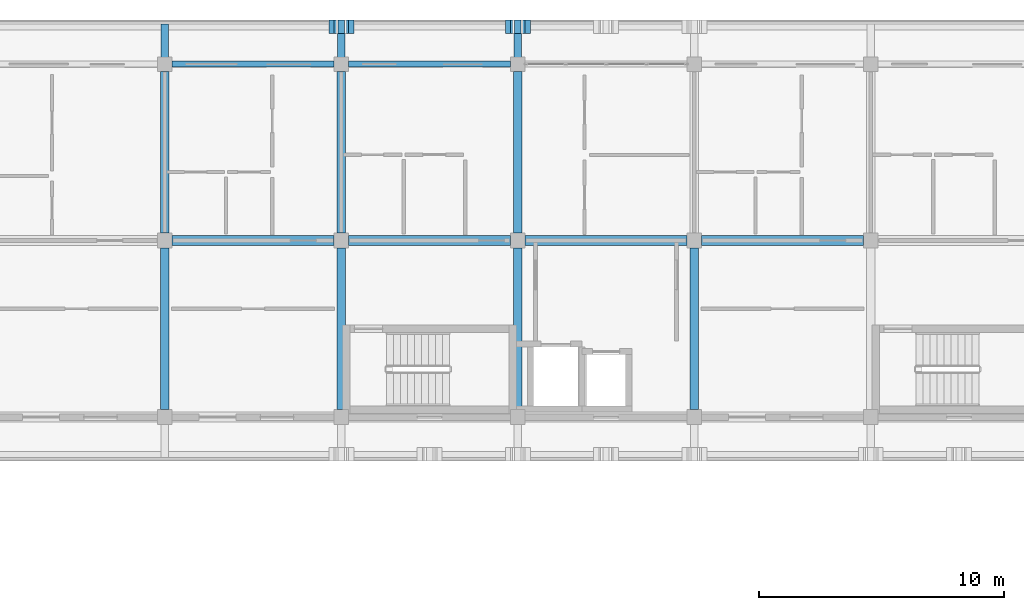
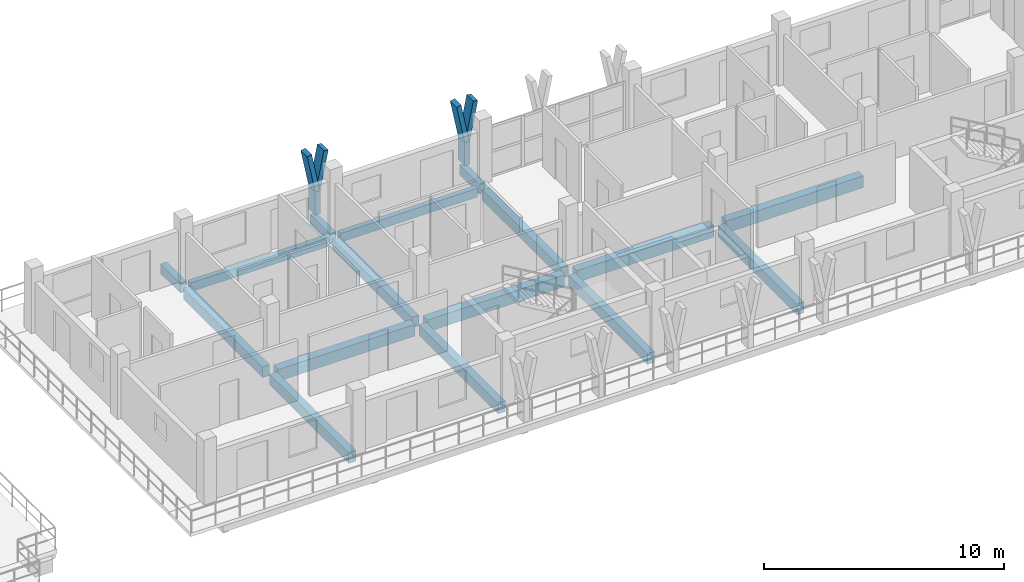
# One storey, part 28 of 75: 16 beams, 6 members.
"""IFC4 building model written with IfcOpenShell, lengths in metres."""

from ifc_helpers import new_model, si_unit, direction, frame, origin, origin_2d, place, context, subcontext, project, spatial, rectangle, extrude, material, material_profile, profile_set, type_object, element, save


model = new_model("IFC4")

# Units and contexts
model_context = context("Model", 3, precision=1e-05, world=origin(), true_north=direction((0.0, 1.0)))
body_context = subcontext(model_context, "Body", "Model", "MODEL_VIEW")
ifc_project = project(units=[si_unit("LENGTHUNIT", "METRE"), si_unit("AREAUNIT", "SQUARE_METRE"), si_unit("VOLUMEUNIT", "CUBIC_METRE"), si_unit("PLANEANGLEUNIT", "RADIAN"), si_unit("MASSUNIT", "GRAM", prefix="KILO")], contexts=[model_context])

# Site, building, storey
site_placement = place(None, origin())
site = spatial("IfcSite", under=ifc_project, at=site_placement, CompositionType="ELEMENT")
building_placement = place(site_placement, origin())
building = spatial("IfcBuilding", under=site, at=building_placement, Name="Suanplinth Sawtooth Commons", CompositionType="ELEMENT")
storey_placement = place(building_placement, frame((0.0, 0.0, 18.60009765625)))
storey = spatial("IfcBuildingStorey", under=building, at=storey_placement, Name="L05", CompositionType="ELEMENT", Elevation=18.60009765625)

# Beams
ifc_material_1 = material(Name="Precast concrete C40/50", Category="concrete")
ifc_material_profile_1 = material_profile(ifc_material_1, rectangle(XDim=0.39990234375, YDim=0.60009765625, at=origin_2d()), Name="PC-GDR 400x600")
ifc_profile_set_1 = profile_set([ifc_material_profile_1], Name="Precast concrete C40/50")
beam_type_1 = type_object("IfcBeamType", Name="B-05", PredefinedType="USERDEFINED", material=ifc_profile_set_1)
beam_1_placement = place(storey_placement, frame((129.89990234375, 115.199951171875, -0.550048828125), z_axis=(1.0, 0.0, 0.0), x_axis=(0.0, 1.0, 0.0)))
element("IfcBeam", 1, at=beam_1_placement, inside=storey, type_object=beam_type_1, Name="BMX-L05-B-18-16", ObjectType="GIRDER", PredefinedType="USERDEFINED", context=body_context, shape_type="SweptSolid", body=[
    extrude(rectangle(XDim=0.39990234375, YDim=0.60009765625, at=origin_2d()), origin(), (0.0, 0.0, 1.0), 6.60009765625),
])
for number, where, z_axis, x_axis, name in (
    (2, (137.10009765625, 115.199951171875, -0.550048828125), (1.0, 0.0, 0.0), (0.0, 1.0, 0.0), "BMX-L05-B-19-16"),
    (3, (144.300048828125, 115.199951171875, -0.550048828125), (1.0, 0.0, 0.0), (0.0, 1.0, 0.0), "BMX-L05-B-20-16"),
):
    element("IfcBeam", number, at=place(storey_placement, frame(where, z_axis=z_axis, x_axis=x_axis)), inside=storey, type_object=beam_type_1, Name=name, ObjectType="GIRDER", PredefinedType="USERDEFINED", context=body_context, shape_type="SweptSolid", body=[
        extrude(rectangle(XDim=0.39990234375, YDim=0.60009765625, at=origin_2d()), origin(), (0.0, 0.0, 1.0), 6.599853515625),
    ])
beam_2_placement = place(storey_placement, frame((151.5, 115.199951171875, -0.550048828125), z_axis=(1.0, 0.0, 0.0), x_axis=(0.0, 1.0, 0.0)))
element("IfcBeam", 4, at=beam_2_placement, inside=storey, type_object=beam_type_1, Name="BMX-L05-B-21-16", ObjectType="GIRDER", PredefinedType="USERDEFINED", context=body_context, shape_type="SweptSolid", body=[
    extrude(rectangle(XDim=0.39990234375, YDim=0.60009765625, at=origin_2d()), origin(), (0.0, 0.0, 1.0), 6.60009765625),
])
ifc_material_profile_2 = material_profile(ifc_material_1, rectangle(XDim=0.35009765625, YDim=0.550048828125, at=origin_2d()), Name="PC-BM 350x550")
ifc_profile_set_2 = profile_set([ifc_material_profile_2], Name="Precast concrete C40/50")
beam_type_2 = type_object("IfcBeamType", Name="B-06", PredefinedType="BEAM", material=ifc_profile_set_2)
beam_3_placement = place(storey_placement, frame((129.60009765625, 108.300048828125, -0.525146484375), z_axis=(0.0, 1.0, 0.0), x_axis=(-1.0, 0.0, 0.0)))
element("IfcBeam", 5, at=beam_3_placement, inside=storey, type_object=beam_type_2, Name="BMY-L05-B-18-15", PredefinedType="BEAM", context=body_context, shape_type="SweptSolid", body=[
    extrude(rectangle(XDim=0.35009765625, YDim=0.550048828125, at=origin_2d()), origin(), (0.0, 0.0, 1.0), 6.599853515625),
])
beam_4_placement = place(storey_placement, frame((129.60009765625, 115.5, -0.525146484375), z_axis=(0.0, 1.0, 0.0), x_axis=(-1.0, 0.0, 0.0)))
element("IfcBeam", 6, at=beam_4_placement, inside=storey, type_object=beam_type_2, Name="BMY-L05-B-18-16", PredefinedType="BEAM", context=body_context, shape_type="SweptSolid", body=[
    extrude(rectangle(XDim=0.35009765625, YDim=0.550048828125, at=origin_2d()), origin(), (0.0, 0.0, 1.0), 6.60009765625),
])
beam_5_placement = place(storey_placement, frame((136.800048828125, 108.300048828125, -0.525146484375), z_axis=(0.0, 1.0, 0.0), x_axis=(-1.0, 0.0, 0.0)))
element("IfcBeam", 7, at=beam_5_placement, inside=storey, type_object=beam_type_2, Name="BMY-L05-B-19-15", PredefinedType="BEAM", context=body_context, shape_type="SweptSolid", body=[
    extrude(rectangle(XDim=0.35009765625, YDim=0.550048828125, at=origin_2d()), origin(), (0.0, 0.0, 1.0), 6.599853515625),
])
beam_6_placement = place(storey_placement, frame((136.800048828125, 115.5, -0.525146484375), z_axis=(0.0, 1.0, 0.0), x_axis=(-1.0, 0.0, 0.0)))
element("IfcBeam", 8, at=beam_6_placement, inside=storey, type_object=beam_type_2, Name="BMY-L05-B-19-16", PredefinedType="BEAM", context=body_context, shape_type="SweptSolid", body=[
    extrude(rectangle(XDim=0.35009765625, YDim=0.550048828125, at=origin_2d()), origin(), (0.0, 0.0, 1.0), 6.60009765625),
])
beam_7_placement = place(storey_placement, frame((144.0, 108.300048828125, -0.525146484375), z_axis=(0.0, 1.0, 0.0), x_axis=(-1.0, 0.0, 0.0)))
element("IfcBeam", 9, at=beam_7_placement, inside=storey, type_object=beam_type_2, Name="BMY-L05-B-20-15", PredefinedType="BEAM", context=body_context, shape_type="SweptSolid", body=[
    extrude(rectangle(XDim=0.35009765625, YDim=0.550048828125, at=origin_2d()), origin(), (0.0, 0.0, 1.0), 6.599853515625),
])
beam_8_placement = place(storey_placement, frame((144.0, 115.5, -0.525146484375), z_axis=(0.0, 1.0, 0.0), x_axis=(-1.0, 0.0, 0.0)))
element("IfcBeam", 10, at=beam_8_placement, inside=storey, type_object=beam_type_2, Name="BMY-L05-B-20-16", PredefinedType="BEAM", context=body_context, shape_type="SweptSolid", body=[
    extrude(rectangle(XDim=0.35009765625, YDim=0.550048828125, at=origin_2d()), origin(), (0.0, 0.0, 1.0), 6.60009765625),
])
beam_9_placement = place(storey_placement, frame((151.199951171875, 108.300048828125, -0.525146484375), z_axis=(0.0, 1.0, 0.0), x_axis=(-1.0, 0.0, 0.0)))
element("IfcBeam", 11, at=beam_9_placement, inside=storey, type_object=beam_type_2, Name="BMY-L05-B-21-15", PredefinedType="BEAM", context=body_context, shape_type="SweptSolid", body=[
    extrude(rectangle(XDim=0.35009765625, YDim=0.550048828125, at=origin_2d()), origin(), (0.0, 0.0, 1.0), 6.599853515625),
])
ifc_material_profile_3 = material_profile(ifc_material_1, rectangle(XDim=0.300048828125, YDim=0.5, at=origin_2d()), Name="PC-BM 300x500")
ifc_profile_set_3 = profile_set([ifc_material_profile_3], Name="Precast concrete C40/50")
beam_type_3 = type_object("IfcBeamType", Name="B-07", PredefinedType="BEAM", material=ifc_profile_set_3)
for number, where, z_axis, x_axis, name in (
    (12, (129.60009765625, 122.39990234375, -0.43017578125), (0.0, 1.0, 0.0), (-1.0, 0.0, 0.0), "Balcony Outrigger L05-B-N-18"),
    (13, (136.800048828125, 122.39990234375, -0.43017578125), (0.0, 1.0, 0.0), (-1.0, 0.0, 0.0), "Balcony Outrigger L05-B-N-19"),
    (14, (144.0, 122.39990234375, -0.43017578125), (0.0, 1.0, 0.0), (-1.0, 0.0, 0.0), "Balcony Outrigger L05-B-N-20"),
):
    element("IfcBeam", number, at=place(storey_placement, frame(where, z_axis=z_axis, x_axis=x_axis)), inside=storey, type_object=beam_type_3, Name=name, PredefinedType="BEAM", context=body_context, shape_type="SweptSolid", body=[
        extrude(rectangle(XDim=0.300048828125, YDim=0.5, at=origin_2d()), origin(), (0.0, 0.0, 1.0), 1.64013671875),
    ])
ifc_material_profile_4 = material_profile(ifc_material_1, rectangle(XDim=0.25, YDim=0.449951171875, at=origin_2d()), Name="PC-SP 250x450")
ifc_profile_set_4 = profile_set([ifc_material_profile_4], Name="Precast concrete C40/50")
beam_type_4 = type_object("IfcBeamType", Name="B-09", PredefinedType="SPANDREL", material=ifc_profile_set_4)
beam_10_placement = place(storey_placement, frame((129.89990234375, 122.39990234375, -0.47509765625), z_axis=(1.0, 0.0, 0.0), x_axis=(0.0, 1.0, 0.0)))
element("IfcBeam", 15, at=beam_10_placement, inside=storey, type_object=beam_type_4, Name="BMX-L05-B-18-17", PredefinedType="SPANDREL", context=body_context, shape_type="SweptSolid", body=[
    extrude(rectangle(XDim=0.25, YDim=0.449951171875, at=origin_2d()), origin(), (0.0, 0.0, 1.0), 6.60009765625),
])
beam_11_placement = place(storey_placement, frame((137.10009765625, 122.39990234375, -0.47509765625), z_axis=(1.0, 0.0, 0.0), x_axis=(0.0, 1.0, 0.0)))
element("IfcBeam", 16, at=beam_11_placement, inside=storey, type_object=beam_type_4, Name="BMX-L05-B-19-17", PredefinedType="SPANDREL", context=body_context, shape_type="SweptSolid", body=[
    extrude(rectangle(XDim=0.25, YDim=0.449951171875, at=origin_2d()), origin(), (0.0, 0.0, 1.0), 6.599853515625),
])

# Members
ifc_material_2 = material(Name="Pigmented precast concrete C40/50", Category="concrete")
ifc_material_profile_5 = material_profile(ifc_material_2, rectangle(XDim=0.260009765625, YDim=0.550048828125, at=origin_2d()), Name="PC-FIN 260x550")
ifc_profile_set_5 = profile_set([ifc_material_profile_5], Name="Pigmented precast concrete C40/50")
member_type_1 = type_object("IfcMemberType", Name="M-09", PredefinedType="USERDEFINED", material=ifc_profile_set_5)
for number, where, z_axis, x_axis, name in (
    (17, (136.800048828125, 123.919921875, 0.0), (0.0, 0.0, 1.0), (1.0, 0.0, 0.0), "Y-Blade Stem L05-B-N-01"),
    (18, (144.0, 123.919921875, 0.0), (0.0, 0.0, 1.0), (1.0, 0.0, 0.0), "Y-Blade Stem L05-B-N-02"),
):
    element("IfcMember", number, at=place(storey_placement, frame(where, z_axis=z_axis, x_axis=x_axis)), inside=storey, type_object=member_type_1, Name=name, ObjectType="SHADING FIN", PredefinedType="USERDEFINED", context=body_context, shape_type="SweptSolid", body=[
        extrude(rectangle(XDim=0.260009765625, YDim=0.550048828125, at=origin_2d()), origin(), (0.0, 0.0, 1.0), 1.169921875),
    ])
ifc_material_profile_6 = material_profile(ifc_material_2, rectangle(XDim=0.219970703125, YDim=0.550048828125, at=origin_2d()), Name="PC-FIN 220x550")
ifc_profile_set_6 = profile_set([ifc_material_profile_6], Name="Pigmented precast concrete C40/50")
member_type_2 = type_object("IfcMemberType", Name="M-10", PredefinedType="USERDEFINED", material=ifc_profile_set_6)
for number, where, z_axis, x_axis, name in (
    (19, (136.800048828125, 123.919921875, 1.1298828125), (-0.196530428008, 0.0, 0.98049772609), (0.98049772609, 0.0, 0.196530428008), "Y-Blade Arm L L05-B-N-01"),
    (20, (136.800048828125, 123.919921875, 1.1298828125), (0.196415357203, 0.0, 0.980520783795), (-0.980520783795, 0.0, 0.196415357203), "Y-Blade Arm R L05-B-N-01"),
    (21, (144.0, 123.919921875, 1.1298828125), (-0.196530428008, 0.0, 0.98049772609), (0.98049772609, 0.0, 0.196530428008), "Y-Blade Arm L L05-B-N-02"),
    (22, (144.0, 123.919921875, 1.1298828125), (0.196530428008, 0.0, 0.98049772609), (-0.98049772609, 0.0, 0.196530428008), "Y-Blade Arm R L05-B-N-02"),
):
    element("IfcMember", number, at=place(storey_placement, frame(where, z_axis=z_axis, x_axis=x_axis)), inside=storey, type_object=member_type_2, Name=name, ObjectType="SHADING FIN", PredefinedType="USERDEFINED", context=body_context, shape_type="SweptSolid", body=[
        extrude(rectangle(XDim=0.219970703125, YDim=0.550048828125, at=origin_2d()), origin(), (0.0, 0.0, 1.0), 2.039794921875),
    ])

save(model, "model.ifc")
